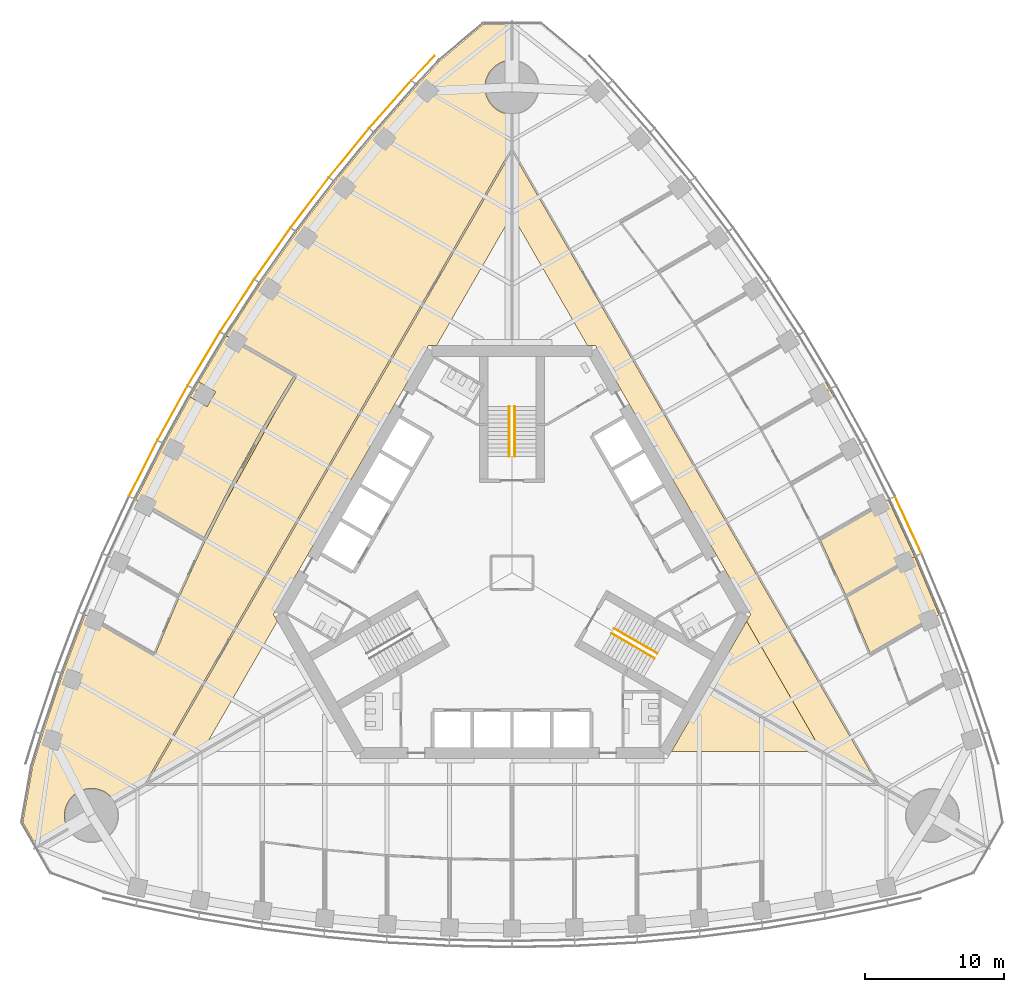
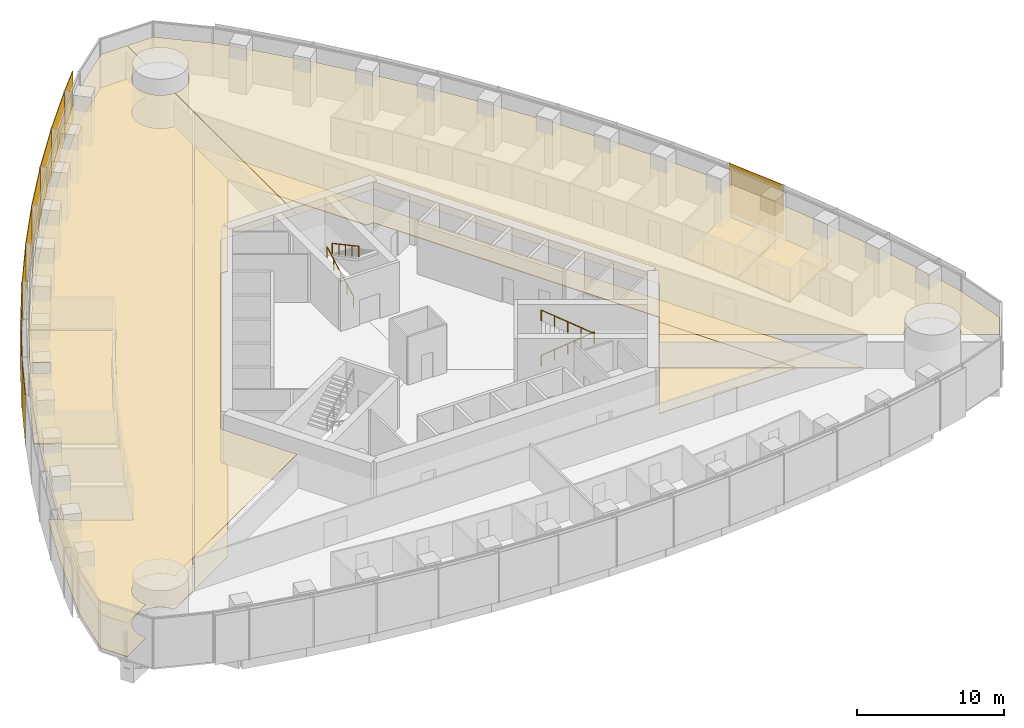
# One storey, part 18 of 21: 10 coverings, 10 shading devices, 4 railings.
"""IFC4 building model written with IfcOpenShell, lengths in metres."""

from ifc_helpers import new_model, si_unit, direction, frame, origin, origin_2d, place, context, subcontext, project, spatial, polyline, rectangle, circle, outline, extrude, material, layer, layer_set, type_object, element, save


model = new_model("IFC4")

# Units and contexts
model_context = context("Model", 3, precision=1e-05, world=origin(), true_north=direction((0.0, 1.0)))
body_context = subcontext(model_context, "Body", "Model", "MODEL_VIEW")
ifc_project = project(units=[si_unit("LENGTHUNIT", "METRE"), si_unit("AREAUNIT", "SQUARE_METRE"), si_unit("VOLUMEUNIT", "CUBIC_METRE"), si_unit("PLANEANGLEUNIT", "RADIAN"), si_unit("MASSUNIT", "GRAM", prefix="KILO")], contexts=[model_context])

# Site, building, storey
site_placement = place(None, origin())
site = spatial("IfcSite", under=ifc_project, at=site_placement, CompositionType="ELEMENT")
building_placement = place(site_placement, origin())
building = spatial("IfcBuilding", under=site, at=building_placement, Name="Trefoil Bronze Tower", CompositionType="ELEMENT")
storey_placement = place(building_placement, frame((0.0, 0.0, 149.300048828125)))
storey = spatial("IfcBuildingStorey", under=building, at=storey_placement, Name="L34", CompositionType="ELEMENT", Elevation=149.300048828125)

# Shading devices
ifc_material_1 = material(Name="Perforated bronze sheet", Category="bronze")
ifc_layer_1 = layer(ifc_material_1, 0.0400390625)
ifc_layer_set_1 = layer_set([ifc_layer_1], Name="Bronze solar screen panel")
shading_device_type = type_object("IfcShadingDeviceType", Name="Bronze solar screen panel", PredefinedType="SHUTTER", material=ifc_layer_set_1)
shading_device_1_placement = place(storey_placement, frame((28.563720703125, 3.444580078125, 0.0498046875), z_axis=(0.0, 0.0, 1.0), x_axis=(-0.419932995871, 0.907555110712, 0.0)))
element("IfcShadingDevice", 1, at=shading_device_1_placement, inside=storey, type_object=shading_device_type, Name="Solar screen CW-A L34 F2 bay 5", PredefinedType="SHUTTER", context=body_context, shape_type="SweptSolid", body=[
    extrude(rectangle(XDim=4.48828125, YDim=0.0400390625, at=origin_2d()), origin(), (0.0, 0.0, 1.0), 4.10009765625),
])
shading_device_2_placement = place(storey_placement, frame((-6.416748046875, 36.383544921875, 0.0498046875), z_axis=(0.0, 0.0, 1.0), x_axis=(-0.682535770759, -0.730852188636, 0.0)))
element("IfcShadingDevice", 2, at=shading_device_2_placement, inside=storey, type_object=shading_device_type, Name="Solar screen CW-A L34 F3 bay 1", PredefinedType="SHUTTER", context=body_context, shape_type="SweptSolid", body=[
    extrude(rectangle(XDim=2.39013671875, YDim=0.0400390625, at=origin_2d()), origin(), (0.0, 0.0, 1.0), 4.10009765625),
])
shading_device_3_placement = place(storey_placement, frame((-8.77197265625, 33.766845703125, 0.0498046875), z_axis=(0.0, 0.0, 1.0), x_axis=(-0.661751405978, -0.749723333428, 0.0)))
element("IfcShadingDevice", 3, at=shading_device_3_placement, inside=storey, type_object=shading_device_type, Name="Solar screen CW-A L34 F3 bay 2", PredefinedType="SHUTTER", context=body_context, shape_type="SweptSolid", body=[
    extrude(rectangle(XDim=4.56103515625, YDim=0.0400390625, at=origin_2d()), origin(), (0.0, 0.0, 1.0), 4.10009765625),
])
shading_device_4_placement = place(storey_placement, frame((-11.7490234375, 30.26708984375, 0.0498046875), z_axis=(0.0, 0.0, 1.0), x_axis=(-0.633839916024, -0.773464259584, 0.0)))
element("IfcShadingDevice", 4, at=shading_device_4_placement, inside=storey, type_object=shading_device_type, Name="Solar screen CW-A L34 F3 bay 3", PredefinedType="SHUTTER", context=body_context, shape_type="SweptSolid", body=[
    extrude(rectangle(XDim=4.5302734375, YDim=0.0400390625, at=origin_2d()), origin(), (0.0, 0.0, 1.0), 4.10009765625),
])
shading_device_5_placement = place(storey_placement, frame((-14.579345703125, 26.6826171875, 0.0498046875), z_axis=(0.0, 0.0, 1.0), x_axis=(-0.605252319983, -0.796033685943, 0.0)))
element("IfcShadingDevice", 5, at=shading_device_5_placement, inside=storey, type_object=shading_device_type, Name="Solar screen CW-A L34 F3 bay 4", PredefinedType="SHUTTER", context=body_context, shape_type="SweptSolid", body=[
    extrude(rectangle(XDim=4.50634765625, YDim=0.0400390625, at=origin_2d()), origin(), (0.0, 0.0, 1.0), 4.10009765625),
])
shading_device_6_placement = place(storey_placement, frame((-17.264892578125, 23.014404296875, 0.0498046875), z_axis=(0.0, 0.0, 1.0), x_axis=(-0.575999283275, -0.817450197667, 0.0)))
element("IfcShadingDevice", 6, at=shading_device_6_placement, inside=storey, type_object=shading_device_type, Name="Solar screen CW-A L34 F3 bay 5", PredefinedType="SHUTTER", context=body_context, shape_type="SweptSolid", body=[
    extrude(rectangle(XDim=4.48828125, YDim=0.0400390625, at=origin_2d()), origin(), (0.0, 0.0, 1.0), 4.10009765625),
])
shading_device_7_placement = place(storey_placement, frame((-19.8076171875, 19.263916015625, 0.0498046875), z_axis=(0.0, 0.0, 1.0), x_axis=(-0.546088612237, -0.837727418427, 0.0)))
element("IfcShadingDevice", 7, at=shading_device_7_placement, inside=storey, type_object=shading_device_type, Name="Solar screen CW-A L34 F3 bay 6", PredefinedType="SHUTTER", context=body_context, shape_type="SweptSolid", body=[
    extrude(rectangle(XDim=4.4765625, YDim=0.0400390625, at=origin_2d()), origin(), (0.0, 0.0, 1.0), 4.10009765625),
])
for number, where, z_axis, x_axis, name in (
    (8, (-22.208740234375, 15.431396484375, 0.0498046875), (0.0, 0.0, 1.0), (-0.515525413486, -0.856874289526, 0.0), "Solar screen CW-A L34 F3 bay 7"),
    (9, (-24.468505859375, 11.517578125, 0.0498046875), (0.0, 0.0, 1.0), (-0.484312195836, -0.874895249138, 0.0), "Solar screen CW-A L34 F3 bay 8"),
):
    element("IfcShadingDevice", number, at=place(storey_placement, frame(where, z_axis=z_axis, x_axis=x_axis)), inside=storey, type_object=shading_device_type, Name=name, PredefinedType="SHUTTER", context=body_context, shape_type="SweptSolid", body=[
        extrude(rectangle(XDim=4.470703125, YDim=0.0400390625, at=origin_2d()), origin(), (0.0, 0.0, 1.0), 4.10009765625),
    ])
shading_device_8_placement = place(storey_placement, frame((-26.5869140625, 7.52197265625, 0.0498046875), z_axis=(0.0, 0.0, 1.0), x_axis=(-0.452448919686, -0.891790320128, 0.0)))
element("IfcShadingDevice", 10, at=shading_device_8_placement, inside=storey, type_object=shading_device_type, Name="Solar screen CW-A L34 F3 bay 9", PredefinedType="SHUTTER", context=body_context, shape_type="SweptSolid", body=[
    extrude(rectangle(XDim=4.4765625, YDim=0.0400390625, at=origin_2d()), origin(), (0.0, 0.0, 1.0), 4.10009765625),
])

# Railings
ifc_material_2 = material(Name="Steel handrail", Category="steel")
railing_type = type_object("IfcRailingType", Name="Handrail 900", PredefinedType="HANDRAIL", material=ifc_material_2)
railing_1_placement = place(storey_placement, frame((7.365966796875, -4.021728515625, 0.161376953125)))
element("IfcRailing", 11, at=railing_1_placement, inside=storey, type_object=railing_type, Name="Handrail ST1 flight 1 L34", PredefinedType="HANDRAIL", context=body_context, shape_type="SweptSolid", body=[
    extrude(circle(Radius=0.02392578125, at=origin_2d()), frame((0.0, 0.0, 0.8759765625), z_axis=(0.76250339821, -0.440245697338, 0.474101564745), x_axis=(0.500012057535, 0.866018442252, 0.0)), (0.0, 0.0, 1.0), 4.088623046875),
    extrude(circle(Radius=0.02099609375, at=origin_2d()), origin(), (0.0, 0.0, 1.0), 0.851806640625),
    extrude(circle(Radius=0.02099609375, at=origin_2d()), frame((0.779296875, -0.449951171875, 0.484619140625)), (0.0, 0.0, 1.0), 0.851806640625),
    extrude(circle(Radius=0.02099609375, at=origin_2d()), frame((1.558837890625, -0.89990234375, 0.96923828125)), (0.0, 0.0, 1.0), 0.851806640625),
    extrude(circle(Radius=0.02099609375, at=origin_2d()), frame((2.33837890625, -1.35009765625, 1.453857421875)), (0.0, 0.0, 1.0), 0.851806640625),
    extrude(circle(Radius=0.02099609375, at=origin_2d()), frame((3.11767578125, -1.800048828125, 1.9384765625)), (0.0, 0.0, 1.0), 0.851806640625),
])
railing_2_placement = place(storey_placement, frame((10.28369140625, -6.168212890625, 2.261474609375)))
element("IfcRailing", 12, at=railing_2_placement, inside=storey, type_object=railing_type, Name="Handrail ST1 flight 2 L34", PredefinedType="HANDRAIL", context=body_context, shape_type="SweptSolid", body=[
    extrude(circle(Radius=0.02392578125, at=origin_2d()), frame((0.0, 0.0, 0.8759765625), z_axis=(-0.76250339821, 0.440245697338, 0.474101564745), x_axis=(-0.500012057535, -0.866018442252, 0.0)), (0.0, 0.0, 1.0), 4.088623046875),
    extrude(circle(Radius=0.02099609375, at=origin_2d()), origin(), (0.0, 0.0, 1.0), 0.851806640625),
    extrude(circle(Radius=0.02099609375, at=origin_2d()), frame((-0.779296875, 0.449951171875, 0.484619140625)), (0.0, 0.0, 1.0), 0.851806640625),
    extrude(circle(Radius=0.02099609375, at=origin_2d()), frame((-1.558837890625, 0.89990234375, 0.96923828125)), (0.0, 0.0, 1.0), 0.851806640625),
    extrude(circle(Radius=0.02099609375, at=origin_2d()), frame((-2.33837890625, 1.35009765625, 1.453857421875)), (0.0, 0.0, 1.0), 0.851806640625),
    extrude(circle(Radius=0.02099609375, at=origin_2d()), frame((-3.11767578125, 1.800048828125, 1.9384765625)), (0.0, 0.0, 1.0), 0.851806640625),
])
railing_3_placement = place(storey_placement, frame((-0.199951171875, 8.389892578125, 0.161376953125)))
element("IfcRailing", 13, at=railing_3_placement, inside=storey, type_object=railing_type, Name="Handrail ST2 flight 1 L34", PredefinedType="HANDRAIL", context=body_context, shape_type="SweptSolid", body=[
    extrude(circle(Radius=0.02392578125, at=origin_2d()), frame((0.0, 0.0, 0.8759765625), z_axis=(0.0, 0.880474934443, 0.474092701714), x_axis=(-1.0, 0.0, 0.0)), (0.0, 0.0, 1.0), 4.0888671875),
    extrude(circle(Radius=0.02099609375, at=origin_2d()), origin(), (0.0, 0.0, 1.0), 0.851806640625),
    extrude(circle(Radius=0.02099609375, at=origin_2d()), frame((0.0, 0.89990234375, 0.484619140625)), (0.0, 0.0, 1.0), 0.851806640625),
    extrude(circle(Radius=0.02099609375, at=origin_2d()), frame((0.0, 1.800048828125, 0.96923828125)), (0.0, 0.0, 1.0), 0.851806640625),
    extrude(circle(Radius=0.02099609375, at=origin_2d()), frame((0.0, 2.7001953125, 1.453857421875)), (0.0, 0.0, 1.0), 0.851806640625),
    extrude(circle(Radius=0.02099609375, at=origin_2d()), frame((0.0, 3.60009765625, 1.9384765625)), (0.0, 0.0, 1.0), 0.851806640625),
])
railing_4_placement = place(storey_placement, frame((0.199951171875, 11.989990234375, 2.261474609375)))
element("IfcRailing", 14, at=railing_4_placement, inside=storey, type_object=railing_type, Name="Handrail ST2 flight 2 L34", PredefinedType="HANDRAIL", context=body_context, shape_type="SweptSolid", body=[
    extrude(circle(Radius=0.02392578125, at=origin_2d()), frame((0.0, 0.0, 0.8759765625), z_axis=(0.0, -0.880474934443, 0.474092701714), x_axis=(1.0, 0.0, 0.0)), (0.0, 0.0, 1.0), 4.0888671875),
    extrude(circle(Radius=0.02099609375, at=origin_2d()), origin(), (0.0, 0.0, 1.0), 0.851806640625),
    extrude(circle(Radius=0.02099609375, at=origin_2d()), frame((0.0, -0.89990234375, 0.484619140625)), (0.0, 0.0, 1.0), 0.851806640625),
    extrude(circle(Radius=0.02099609375, at=origin_2d()), frame((0.0, -1.800048828125, 0.96923828125)), (0.0, 0.0, 1.0), 0.851806640625),
    extrude(circle(Radius=0.02099609375, at=origin_2d()), frame((0.0, -2.7001953125, 1.453857421875)), (0.0, 0.0, 1.0), 0.851806640625),
    extrude(circle(Radius=0.02099609375, at=origin_2d()), frame((0.0, -3.60009765625, 1.9384765625)), (0.0, 0.0, 1.0), 0.851806640625),
])

# Coverings
ifc_material_3 = material(Name="Acoustic ceiling panels", Category="mineral fibre")
ifc_layer_2 = layer(ifc_material_3, 0.02001953125)
ifc_layer_set_2 = layer_set([ifc_layer_2], Name="Office ceiling 20")
covering_type_1 = type_object("IfcCoveringType", Name="Office ceiling 20", PredefinedType="CEILING", material=ifc_layer_set_2)
covering_1_placement = place(storey_placement, frame((0.0, 0.0, 2.89990234375)))
element("IfcCovering", 15, at=covering_1_placement, inside=storey, type_object=covering_type_1, Name="Ceiling L34 Open-plan office F2", PredefinedType="CEILING", context=body_context, shape_type="SweptSolid", body=[
    extrude(outline(polyline([(6.847900390625, 35.130615234375), (9.885986328125, 31.6884765625), (12.776611328125, 28.1611328125), (15.522216796875, 24.55029296875), (18.124755859375, 20.856689453125), (20.585693359375, 17.081298828125), (22.906005859375, 13.224853515625), (25.085693359375, 9.287109375), (27.124755859375, 5.268310546875), (29.022216796875, 1.16748046875), (30.776611328125, -3.015625), (32.385986328125, -7.28271484375), (33.847900390625, -11.634765625), (34.5537109375, -13.94970703125), (35.2666015625, -17.99169921875), (34.247802734375, -19.755859375), (32.006103515625, -18.462646484375), (32.030517578125, -18.419189453125), (32.07373046875, -18.333740234375), (32.112548828125, -18.24609375), (32.14697265625, -18.156982421875), (32.177001953125, -18.066162109375), (32.202392578125, -17.973876953125), (32.223388671875, -17.88037109375), (32.23974609375, -17.7861328125), (32.25146484375, -17.691162109375), (32.258544921875, -17.595703125), (32.260986328125, -17.5), (32.258544921875, -17.404296875), (32.25146484375, -17.308837890625), (32.23974609375, -17.2138671875), (32.223388671875, -17.11962890625), (32.202392578125, -17.026123046875), (32.177001953125, -16.933837890625), (32.14697265625, -16.843017578125), (32.112548828125, -16.75390625), (32.07373046875, -16.666259765625), (32.030517578125, -16.580810546875), (31.9833984375, -16.49755859375), (31.932373046875, -16.41650390625), (31.877197265625, -16.33837890625), (31.818359375, -16.262939453125), (31.755615234375, -16.1904296875), (31.689697265625, -16.12109375), (31.620361328125, -16.05517578125), (31.548095703125, -15.99267578125), (31.472412109375, -15.93359375), (31.394287109375, -15.878662109375), (31.3134765625, -15.827392578125), (31.22998046875, -15.7802734375), (31.14453125, -15.7373046875), (31.05712890625, -15.698486328125), (30.9677734375, -15.6640625), (30.876953125, -15.634033203125), (30.78466796875, -15.6083984375), (30.69140625, -15.58740234375), (30.596923828125, -15.571044921875), (30.501953125, -15.559326171875), (30.406494140625, -15.55224609375), (30.310791015625, -15.550048828125), (30.215087890625, -15.55224609375), (30.119873046875, -15.559326171875), (30.02490234375, -15.571044921875), (29.930419921875, -15.58740234375), (29.837158203125, -15.6083984375), (29.744873046875, -15.634033203125), (29.654052734375, -15.6640625), (29.564697265625, -15.698486328125), (29.477294921875, -15.7373046875), (29.3916015625, -15.7802734375), (29.308349609375, -15.827392578125), (29.2275390625, -15.878662109375), (29.1494140625, -15.93359375), (29.07373046875, -15.99267578125), (29.001220703125, -16.05517578125), (28.931884765625, -16.12109375), (28.865966796875, -16.1904296875), (28.803466796875, -16.262939453125), (28.74462890625, -16.33837890625), (28.689453125, -16.41650390625), (28.628662109375, -16.514404296875), (14.205810546875, -8.194580078125), (17.205078125, -3.0), (6.00439453125, 16.39990234375), (0.006103515625, 16.39990234375), (0.012451171875, 33.05029296875), (0.095703125, 33.05224609375), (0.191162109375, 33.059326171875), (0.2861328125, 33.071044921875), (0.38037109375, 33.08740234375), (0.473876953125, 33.1083984375), (0.566162109375, 33.134033203125), (0.656982421875, 33.1640625), (0.74609375, 33.198486328125), (0.833740234375, 33.2373046875), (0.919189453125, 33.2802734375), (1.00244140625, 33.327392578125), (1.08349609375, 33.378662109375), (1.16162109375, 33.43359375), (1.237060546875, 33.49267578125), (1.3095703125, 33.55517578125), (1.37890625, 33.62109375), (1.44482421875, 33.6904296875), (1.50732421875, 33.762939453125), (1.56640625, 33.83837890625), (1.621337890625, 33.91650390625), (1.672607421875, 33.99755859375), (1.7197265625, 34.080810546875), (1.7626953125, 34.166259765625), (1.801513671875, 34.25390625), (1.8359375, 34.343017578125), (1.865966796875, 34.433837890625), (1.8916015625, 34.526123046875), (1.91259765625, 34.61962890625), (1.928955078125, 34.7138671875), (1.940673828125, 34.808837890625), (1.94775390625, 34.904296875), (1.949951171875, 35.0), (1.94775390625, 35.095703125), (1.940673828125, 35.191162109375), (1.928955078125, 35.2861328125), (1.91259765625, 35.38037109375), (1.8916015625, 35.473876953125), (1.865966796875, 35.566162109375), (1.8359375, 35.656982421875), (1.801513671875, 35.74609375), (1.7626953125, 35.833740234375), (1.7197265625, 35.919189453125), (1.672607421875, 36.00244140625), (1.621337890625, 36.08349609375), (1.56640625, 36.16162109375), (1.50732421875, 36.237060546875), (1.44482421875, 36.3095703125), (1.37890625, 36.37890625), (1.3095703125, 36.44482421875), (1.237060546875, 36.50732421875), (1.16162109375, 36.56640625), (1.08349609375, 36.621337890625), (1.00244140625, 36.672607421875), (0.919189453125, 36.7197265625), (0.833740234375, 36.7626953125), (0.74609375, 36.801513671875), (0.656982421875, 36.8359375), (0.566162109375, 36.865966796875), (0.473876953125, 36.8916015625), (0.38037109375, 36.91259765625), (0.2861328125, 36.928955078125), (0.191162109375, 36.940673828125), (0.095703125, 36.94775390625), (0.013916015625, 36.94970703125), (0.014892578125, 39.53759765625), (2.052001953125, 39.53759765625), (5.1962890625, 36.8994140625), (6.847900390625, 35.130615234375)])), origin(), (0.0, 0.0, 1.0), 0.02001953125),
])
covering_2_placement = place(storey_placement, frame((0.0, 0.0, 2.89990234375)))
element("IfcCovering", 16, at=covering_2_placement, inside=storey, type_object=covering_type_1, Name="Ceiling L34 Open-plan office F3", PredefinedType="CEILING", context=body_context, shape_type="SweptSolid", body=[
    extrude(outline(polyline([(-33.847900390625, -11.634765625), (-32.385986328125, -7.28271484375), (-30.776611328125, -3.015625), (-29.022216796875, 1.16748046875), (-27.124755859375, 5.268310546875), (-25.085693359375, 9.287109375), (-22.906005859375, 13.224853515625), (-20.585693359375, 17.081298828125), (-18.124755859375, 20.856689453125), (-15.522216796875, 24.55029296875), (-12.776611328125, 28.1611328125), (-9.885986328125, 31.6884765625), (-6.847900390625, 35.130615234375), (-5.1962890625, 36.8994140625), (-2.052001953125, 39.53759765625), (-0.014892578125, 39.53759765625), (-0.013916015625, 36.94970703125), (-0.095703125, 36.94775390625), (-0.191162109375, 36.940673828125), (-0.2861328125, 36.928955078125), (-0.38037109375, 36.91259765625), (-0.473876953125, 36.8916015625), (-0.566162109375, 36.865966796875), (-0.656982421875, 36.8359375), (-0.74609375, 36.801513671875), (-0.833740234375, 36.7626953125), (-0.919189453125, 36.7197265625), (-1.00244140625, 36.672607421875), (-1.08349609375, 36.621337890625), (-1.16162109375, 36.56640625), (-1.237060546875, 36.50732421875), (-1.3095703125, 36.44482421875), (-1.37890625, 36.37890625), (-1.44482421875, 36.3095703125), (-1.50732421875, 36.237060546875), (-1.56640625, 36.16162109375), (-1.621337890625, 36.08349609375), (-1.672607421875, 36.00244140625), (-1.7197265625, 35.919189453125), (-1.7626953125, 35.833740234375), (-1.801513671875, 35.74609375), (-1.8359375, 35.656982421875), (-1.865966796875, 35.566162109375), (-1.8916015625, 35.473876953125), (-1.91259765625, 35.38037109375), (-1.928955078125, 35.2861328125), (-1.940673828125, 35.191162109375), (-1.94775390625, 35.095703125), (-1.949951171875, 35.0), (-1.94775390625, 34.904296875), (-1.940673828125, 34.808837890625), (-1.928955078125, 34.7138671875), (-1.91259765625, 34.61962890625), (-1.8916015625, 34.526123046875), (-1.865966796875, 34.433837890625), (-1.8359375, 34.343017578125), (-1.801513671875, 34.25390625), (-1.7626953125, 34.166259765625), (-1.7197265625, 34.080810546875), (-1.672607421875, 33.99755859375), (-1.621337890625, 33.91650390625), (-1.56640625, 33.83837890625), (-1.50732421875, 33.762939453125), (-1.44482421875, 33.6904296875), (-1.37890625, 33.62109375), (-1.3095703125, 33.55517578125), (-1.237060546875, 33.49267578125), (-1.16162109375, 33.43359375), (-1.08349609375, 33.378662109375), (-1.00244140625, 33.327392578125), (-0.919189453125, 33.2802734375), (-0.833740234375, 33.2373046875), (-0.74609375, 33.198486328125), (-0.656982421875, 33.1640625), (-0.566162109375, 33.134033203125), (-0.473876953125, 33.1083984375), (-0.38037109375, 33.08740234375), (-0.2861328125, 33.071044921875), (-0.191162109375, 33.059326171875), (-0.095703125, 33.05224609375), (-0.012451171875, 33.05029296875), (-0.006103515625, 16.39990234375), (-6.00439453125, 16.39990234375), (-17.205078125, -3.0), (-14.205810546875, -8.194580078125), (-28.628662109375, -16.514404296875), (-28.689453125, -16.41650390625), (-28.74462890625, -16.33837890625), (-28.803466796875, -16.262939453125), (-28.865966796875, -16.1904296875), (-28.931884765625, -16.12109375), (-29.001220703125, -16.05517578125), (-29.07373046875, -15.99267578125), (-29.1494140625, -15.93359375), (-29.2275390625, -15.878662109375), (-29.308349609375, -15.827392578125), (-29.3916015625, -15.7802734375), (-29.477294921875, -15.7373046875), (-29.564697265625, -15.698486328125), (-29.654052734375, -15.6640625), (-29.744873046875, -15.634033203125), (-29.837158203125, -15.6083984375), (-29.930419921875, -15.58740234375), (-30.02490234375, -15.571044921875), (-30.119873046875, -15.559326171875), (-30.215087890625, -15.55224609375), (-30.310791015625, -15.550048828125), (-30.406494140625, -15.55224609375), (-30.501953125, -15.559326171875), (-30.596923828125, -15.571044921875), (-30.69140625, -15.58740234375), (-30.78466796875, -15.6083984375), (-30.876953125, -15.634033203125), (-30.9677734375, -15.6640625), (-31.05712890625, -15.698486328125), (-31.14453125, -15.7373046875), (-31.22998046875, -15.7802734375), (-31.3134765625, -15.827392578125), (-31.394287109375, -15.878662109375), (-31.472412109375, -15.93359375), (-31.548095703125, -15.99267578125), (-31.620361328125, -16.05517578125), (-31.689697265625, -16.12109375), (-31.755615234375, -16.1904296875), (-31.818359375, -16.262939453125), (-31.877197265625, -16.33837890625), (-31.932373046875, -16.41650390625), (-31.9833984375, -16.49755859375), (-32.030517578125, -16.580810546875), (-32.07373046875, -16.666259765625), (-32.112548828125, -16.75390625), (-32.14697265625, -16.843017578125), (-32.177001953125, -16.933837890625), (-32.202392578125, -17.026123046875), (-32.223388671875, -17.11962890625), (-32.23974609375, -17.2138671875), (-32.25146484375, -17.308837890625), (-32.258544921875, -17.404296875), (-32.260986328125, -17.5), (-32.258544921875, -17.595703125), (-32.25146484375, -17.691162109375), (-32.23974609375, -17.7861328125), (-32.223388671875, -17.88037109375), (-32.202392578125, -17.973876953125), (-32.177001953125, -18.066162109375), (-32.14697265625, -18.156982421875), (-32.112548828125, -18.24609375), (-32.07373046875, -18.333740234375), (-32.030517578125, -18.419189453125), (-32.006103515625, -18.462646484375), (-34.247802734375, -19.755859375), (-35.2666015625, -17.99169921875), (-34.5537109375, -13.94970703125), (-33.847900390625, -11.634765625)])), origin(), (0.0, 0.0, 1.0), 0.02001953125),
])
ifc_material_4 = material(Name="Raised access floor panels", Category="steel")
ifc_layer_3 = layer(ifc_material_4, 0.050048828125)
ifc_layer_set_3 = layer_set([ifc_layer_3], Name="Raised access floor 150")
covering_type_2 = type_object("IfcCoveringType", Name="Raised access floor 150", PredefinedType="FLOORING", material=ifc_layer_set_3)
covering_3_placement = place(storey_placement, frame((0.0, 0.0, 0.099853515625)))
element("IfcCovering", 17, at=covering_3_placement, inside=storey, type_object=covering_type_2, Name="Raised floor L34 Open-plan office F1", PredefinedType="FLOORING", context=body_context, shape_type="SweptSolid", body=[
    extrude(outline(polyline([(11.4892578125, -12.89990234375), (14.19970703125, -8.205322265625), (22.32421875, -12.89990234375), (11.4892578125, -12.89990234375)])), origin(), (0.0, 0.0, 1.0), 0.050048828125),
])
covering_4_placement = place(storey_placement, frame((0.0, 0.0, 0.099853515625)))
element("IfcCovering", 18, at=covering_4_placement, inside=storey, type_object=covering_type_2, Name="Raised floor L34 Meeting room F2", PredefinedType="FLOORING", context=body_context, shape_type="SweptSolid", body=[
    extrude(outline(polyline([(27.7548828125, 0.435791015625), (27.724853515625, 0.48779296875), (24.069580078125, -1.62255859375), (22.22265625, 2.36865234375), (25.8916015625, 4.48681640625), (25.861572265625, 4.538818359375), (27.124755859375, 5.268310546875), (29.022216796875, 1.16748046875), (27.7548828125, 0.435791015625)])), origin(), (0.0, 0.0, 1.0), 0.050048828125),
])
covering_5_placement = place(storey_placement, frame((0.0, 0.0, 0.099853515625)))
element("IfcCovering", 19, at=covering_5_placement, inside=storey, type_object=covering_type_2, Name="Raised floor L34 Meeting room F2", PredefinedType="FLOORING", context=body_context, shape_type="SweptSolid", body=[
    extrude(outline(polyline([(29.50341796875, -3.750732421875), (29.473388671875, -3.69873046875), (25.825927734375, -5.8046875), (24.118408203125, -1.73291015625), (27.784912109375, 0.3837890625), (27.7548828125, 0.435791015625), (29.022216796875, 1.16748046875), (30.776611328125, -3.015625), (29.50341796875, -3.750732421875)])), origin(), (0.0, 0.0, 1.0), 0.050048828125),
])
covering_6_placement = place(storey_placement, frame((0.0, 0.0, 0.099853515625)))
element("IfcCovering", 20, at=covering_6_placement, inside=storey, type_object=covering_type_2, Name="Raised floor L34 Corridor F2", PredefinedType="FLOORING", context=body_context, shape_type="SweptSolid", body=[
    extrude(outline(polyline([(0.011474609375, 30.38037109375), (26.31591796875, -15.180419921875), (22.333740234375, -12.88330078125), (16.91650390625, -3.5), (17.205078125, -3.0), (6.00439453125, 16.39990234375), (5.427001953125, 16.39990234375), (0.009765625, 25.783203125), (0.011474609375, 30.38037109375)])), origin(), (0.0, 0.0, 1.0), 0.050048828125),
])
covering_7_placement = place(storey_placement, frame((0.0, 0.0, 0.099853515625)))
element("IfcCovering", 21, at=covering_7_placement, inside=storey, type_object=covering_type_2, Name="Raised floor L34 Open-plan office F2", PredefinedType="FLOORING", context=body_context, shape_type="SweptSolid", body=[
    extrude(outline(polyline([(22.333740234375, -12.88330078125), (14.205810546875, -8.194580078125), (16.91650390625, -3.5), (22.333740234375, -12.88330078125)])), origin(), (0.0, 0.0, 1.0), 0.050048828125),
])
covering_8_placement = place(storey_placement, frame((0.0, 0.0, 0.099853515625)))
element("IfcCovering", 22, at=covering_8_placement, inside=storey, type_object=covering_type_2, Name="Raised floor L34 Training room F3", PredefinedType="FLOORING", context=body_context, shape_type="SweptSolid", body=[
    extrude(outline(polyline([(-25.085693359375, 9.287109375), (-23.209228515625, 12.677001953125), (-21.984130859375, 11.9697265625), (-21.358154296875, 13.053955078125), (-22.583251953125, 13.76123046875), (-20.585693359375, 17.081298828125), (-19.324951171875, 16.353515625), (-19.375, 16.266845703125), (-15.744384765625, 14.170654296875), (-18.01220703125, 10.4013671875), (-17.926513671875, 10.349853515625), (-18.013916015625, 10.398193359375), (-20.193603515625, 6.460693359375), (-20.106201171875, 6.412109375), (-20.1953125, 6.45751953125), (-22.1865234375, 2.53271484375), (-25.8115234375, 4.62548828125), (-25.861572265625, 4.538818359375), (-27.124755859375, 5.268310546875), (-25.085693359375, 9.287109375)])), origin(), (0.0, 0.0, 1.0), 0.050048828125),
])
covering_9_placement = place(storey_placement, frame((0.0, 0.0, 0.099853515625)))
element("IfcCovering", 23, at=covering_9_placement, inside=storey, type_object=covering_type_2, Name="Raised floor L34 Corridor F3", PredefinedType="FLOORING", context=body_context, shape_type="SweptSolid", body=[
    extrude(outline(polyline([(-26.31591796875, -15.180419921875), (-0.011474609375, 30.38037109375), (-0.009765625, 25.783203125), (-5.427001953125, 16.39990234375), (-6.00439453125, 16.39990234375), (-17.205078125, -3.0), (-16.91650390625, -3.5), (-22.333740234375, -12.88330078125), (-26.31591796875, -15.180419921875)])), origin(), (0.0, 0.0, 1.0), 0.050048828125),
])
covering_10_placement = place(storey_placement, frame((0.0, 0.0, 0.099853515625)))
element("IfcCovering", 24, at=covering_10_placement, inside=storey, type_object=covering_type_2, Name="Raised floor L34 Open-plan office F3", PredefinedType="FLOORING", context=body_context, shape_type="SweptSolid", body=[
    extrude(outline(polyline([(-33.847900390625, -11.634765625), (-32.385986328125, -7.28271484375), (-30.776611328125, -3.015625), (-29.50341796875, -3.750732421875), (-29.533447265625, -3.802734375), (-25.8271484375, -5.942626953125), (-25.797119140625, -5.890625), (-25.74169921875, -5.913818359375), (-23.98779296875, -1.731689453125), (-22.091796875, 2.3662109375), (-22.055908203125, 2.347900390625), (-20.80126953125, 4.821044921875), (-16.94921875, 11.780029296875), (-15.5205078125, 14.15478515625), (-15.606201171875, 14.206298828125), (-15.55615234375, 14.29296875), (-19.27490234375, 16.43994140625), (-19.324951171875, 16.353515625), (-20.585693359375, 17.081298828125), (-18.124755859375, 20.856689453125), (-15.522216796875, 24.55029296875), (-12.776611328125, 28.1611328125), (-9.885986328125, 31.6884765625), (-6.847900390625, 35.130615234375), (-5.1962890625, 36.8994140625), (-2.052001953125, 39.53759765625), (-0.014892578125, 39.53759765625), (-0.013916015625, 36.94970703125), (-0.095703125, 36.94775390625), (-0.191162109375, 36.940673828125), (-0.2861328125, 36.928955078125), (-0.38037109375, 36.91259765625), (-0.473876953125, 36.8916015625), (-0.566162109375, 36.865966796875), (-0.656982421875, 36.8359375), (-0.74609375, 36.801513671875), (-0.833740234375, 36.7626953125), (-0.919189453125, 36.7197265625), (-1.00244140625, 36.672607421875), (-1.08349609375, 36.621337890625), (-1.16162109375, 36.56640625), (-1.237060546875, 36.50732421875), (-1.3095703125, 36.44482421875), (-1.37890625, 36.37890625), (-1.44482421875, 36.3095703125), (-1.50732421875, 36.237060546875), (-1.56640625, 36.16162109375), (-1.621337890625, 36.08349609375), (-1.672607421875, 36.00244140625), (-1.7197265625, 35.919189453125), (-1.7626953125, 35.833740234375), (-1.801513671875, 35.74609375), (-1.8359375, 35.656982421875), (-1.865966796875, 35.566162109375), (-1.8916015625, 35.473876953125), (-1.91259765625, 35.38037109375), (-1.928955078125, 35.2861328125), (-1.940673828125, 35.191162109375), (-1.94775390625, 35.095703125), (-1.949951171875, 35.0), (-1.94775390625, 34.904296875), (-1.940673828125, 34.808837890625), (-1.928955078125, 34.7138671875), (-1.91259765625, 34.61962890625), (-1.8916015625, 34.526123046875), (-1.865966796875, 34.433837890625), (-1.8359375, 34.343017578125), (-1.801513671875, 34.25390625), (-1.7626953125, 34.166259765625), (-1.7197265625, 34.080810546875), (-1.672607421875, 33.99755859375), (-1.621337890625, 33.91650390625), (-1.56640625, 33.83837890625), (-1.50732421875, 33.762939453125), (-1.44482421875, 33.6904296875), (-1.37890625, 33.62109375), (-1.3095703125, 33.55517578125), (-1.237060546875, 33.49267578125), (-1.16162109375, 33.43359375), (-1.08349609375, 33.378662109375), (-1.00244140625, 33.327392578125), (-0.919189453125, 33.2802734375), (-0.833740234375, 33.2373046875), (-0.74609375, 33.198486328125), (-0.656982421875, 33.1640625), (-0.566162109375, 33.134033203125), (-0.473876953125, 33.1083984375), (-0.38037109375, 33.08740234375), (-0.2861328125, 33.071044921875), (-0.191162109375, 33.059326171875), (-0.095703125, 33.05224609375), (-0.012451171875, 33.05029296875), (-0.011474609375, 30.488525390625), (-0.068359375, 30.521484375), (-26.466552734375, -15.201416015625), (-26.40966796875, -15.234375), (-28.628662109375, -16.514404296875), (-28.689453125, -16.41650390625), (-28.74462890625, -16.33837890625), (-28.803466796875, -16.262939453125), (-28.865966796875, -16.1904296875), (-28.931884765625, -16.12109375), (-29.001220703125, -16.05517578125), (-29.07373046875, -15.99267578125), (-29.1494140625, -15.93359375), (-29.2275390625, -15.878662109375), (-29.308349609375, -15.827392578125), (-29.3916015625, -15.7802734375), (-29.477294921875, -15.7373046875), (-29.564697265625, -15.698486328125), (-29.654052734375, -15.6640625), (-29.744873046875, -15.634033203125), (-29.837158203125, -15.6083984375), (-29.930419921875, -15.58740234375), (-30.02490234375, -15.571044921875), (-30.119873046875, -15.559326171875), (-30.215087890625, -15.55224609375), (-30.310791015625, -15.550048828125), (-30.406494140625, -15.55224609375), (-30.501953125, -15.559326171875), (-30.596923828125, -15.571044921875), (-30.69140625, -15.58740234375), (-30.78466796875, -15.6083984375), (-30.876953125, -15.634033203125), (-30.9677734375, -15.6640625), (-31.05712890625, -15.698486328125), (-31.14453125, -15.7373046875), (-31.22998046875, -15.7802734375), (-31.3134765625, -15.827392578125), (-31.394287109375, -15.878662109375), (-31.472412109375, -15.93359375), (-31.548095703125, -15.99267578125), (-31.620361328125, -16.05517578125), (-31.689697265625, -16.12109375), (-31.755615234375, -16.1904296875), (-31.818359375, -16.262939453125), (-31.877197265625, -16.33837890625), (-31.932373046875, -16.41650390625), (-31.9833984375, -16.49755859375), (-32.030517578125, -16.580810546875), (-32.07373046875, -16.666259765625), (-32.112548828125, -16.75390625), (-32.14697265625, -16.843017578125), (-32.177001953125, -16.933837890625), (-32.202392578125, -17.026123046875), (-32.223388671875, -17.11962890625), (-32.23974609375, -17.2138671875), (-32.25146484375, -17.308837890625), (-32.258544921875, -17.404296875), (-32.260986328125, -17.5), (-32.258544921875, -17.595703125), (-32.25146484375, -17.691162109375), (-32.23974609375, -17.7861328125), (-32.223388671875, -17.88037109375), (-32.202392578125, -17.973876953125), (-32.177001953125, -18.066162109375), (-32.14697265625, -18.156982421875), (-32.112548828125, -18.24609375), (-32.07373046875, -18.333740234375), (-32.030517578125, -18.419189453125), (-32.006103515625, -18.462646484375), (-34.247802734375, -19.755859375), (-35.2666015625, -17.99169921875), (-34.5537109375, -13.94970703125), (-33.847900390625, -11.634765625)])), origin(), (0.0, 0.0, 1.0), 0.050048828125),
])

save(model, "model.ifc")
